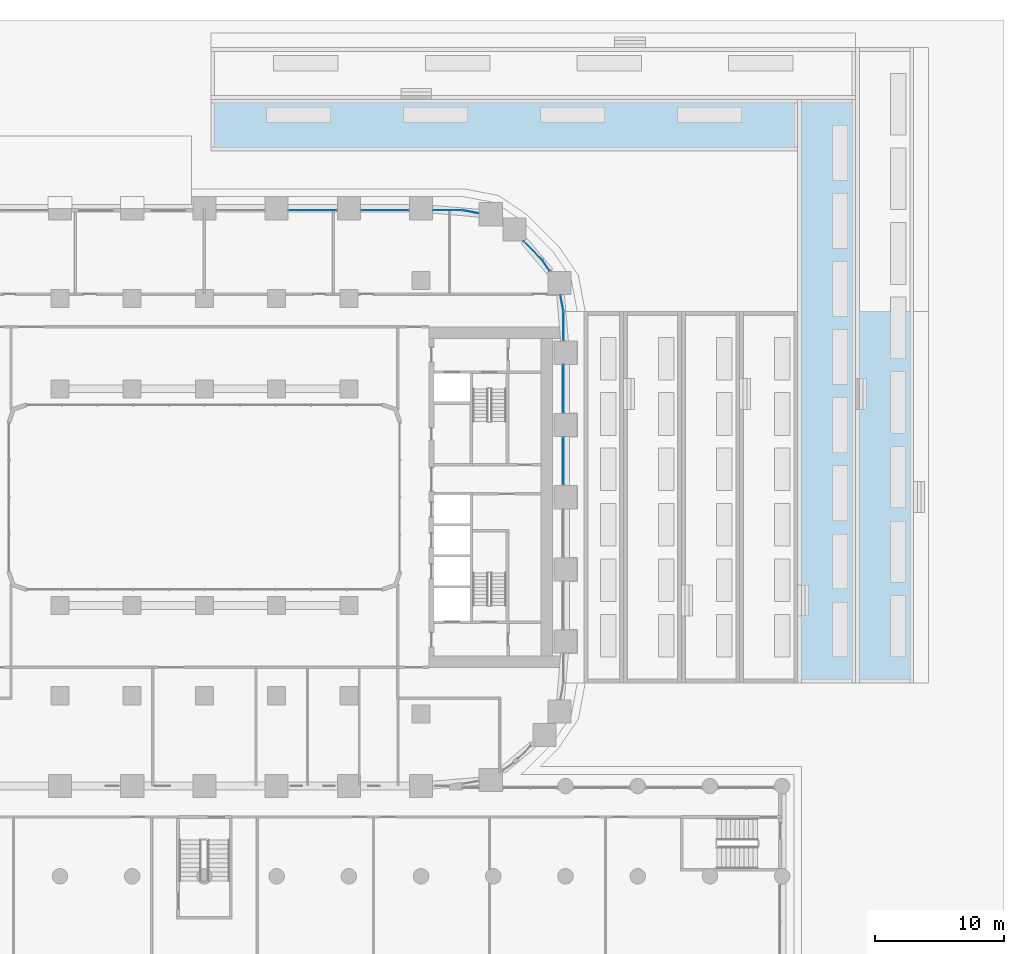
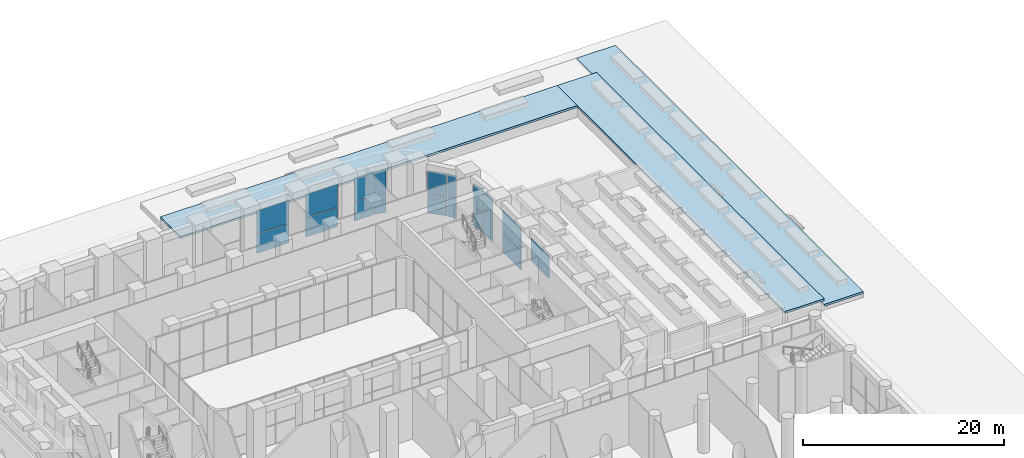
# One storey, part 27 of 51: 19 plates, 3 slabs, 10 elements without a shape of their own.
"""IFC4 building model written with IfcOpenShell, lengths in metres."""

from ifc_helpers import new_model, si_unit, direction, frame, origin, origin_2d, place, context, subcontext, project, spatial, polyline, rectangle, outline, extrude, material, layer, layer_set, type_object, element, aggregate, save


model = new_model("IFC4")

# Units and contexts
model_context = context("Model", 3, precision=1e-05, world=origin(), true_north=direction((0.0, 1.0)))
body_context = subcontext(model_context, "Body", "Model", "MODEL_VIEW")
ifc_project = project(units=[si_unit("LENGTHUNIT", "METRE"), si_unit("AREAUNIT", "SQUARE_METRE"), si_unit("VOLUMEUNIT", "CUBIC_METRE"), si_unit("PLANEANGLEUNIT", "RADIAN"), si_unit("MASSUNIT", "GRAM", prefix="KILO")], contexts=[model_context])

# Site, building, storey
site_placement = place(None, origin())
site = spatial("IfcSite", under=ifc_project, at=site_placement, CompositionType="ELEMENT")
building_placement = place(site_placement, origin())
building = spatial("IfcBuilding", under=site, at=building_placement, Name="Kiln Ring Residences", CompositionType="ELEMENT")
storey_placement = place(building_placement, origin())
storey = spatial("IfcBuildingStorey", under=building, at=storey_placement, Name="L00", CompositionType="ELEMENT", Elevation=0.0)

# Curtain wall, plate
ifc_material_1 = material(Name="Aluminium and glass", Category="aluminium")
ifc_layer_1 = layer(ifc_material_1, 0.179931640625)
ifc_layer_set_1 = layer_set([ifc_layer_1], Name="CW2 CURTAIN WALL")
curtain_wall_type = type_object("IfcCurtainWallType", Name="CW2 CURTAIN WALL", PredefinedType="NOTDEFINED", material=ifc_layer_set_1)
placement_1 = place(storey_placement, origin())
curtain_wall_1 = element("IfcCurtainWall", 1, at=placement_1, inside=storey, type_object=curtain_wall_type, Name="Curtain wall CW2 L00", PredefinedType="NOTDEFINED")
ifc_material_2 = material(Name="Glass, clear toughened", Category="glass")
ifc_layer_2 = layer(ifc_material_2, 0.02392578125)
ifc_layer_set_2 = layer_set([ifc_layer_2], Name="CW2 PANEL 24")
plate_type = type_object("IfcPlateType", Name="CW2 PANEL 24", PredefinedType="CURTAIN_PANEL", material=ifc_layer_set_2)
plate_1_placement = place(storey_placement, frame((27.85009765625, 2.800048828125, 2.425048828125), z_axis=(0.0, 0.0, 1.0), x_axis=(0.0, 1.0, 0.0)))
plate_1 = element("IfcPlate", 2, at=plate_1_placement, type_object=plate_type, Name="CW2 panel 1.2", PredefinedType="CURTAIN_PANEL", context=body_context, shape_type="SweptSolid", body=[
    extrude(rectangle(XDim=3.699951171875, YDim=0.02392578125, at=origin_2d()), origin(), (0.0, 0.0, 1.0), 2.77490234375),
])
aggregate(curtain_wall_1, [plate_1])

# Curtain wall, plates
curtain_wall_2 = element("IfcCurtainWall", 3, at=placement_1, inside=storey, type_object=curtain_wall_type, Name="Curtain wall CW2 L00", PredefinedType="NOTDEFINED")
plate_2_placement = place(storey_placement, frame((27.85009765625, 8.39990234375, 0.0498046875), z_axis=(0.0, 0.0, 1.0), x_axis=(0.0, 1.0, 0.0)))
plate_2 = element("IfcPlate", 4, at=plate_2_placement, type_object=plate_type, Name="CW2 panel 1.1", PredefinedType="CURTAIN_PANEL", context=body_context, shape_type="SweptSolid", body=[
    extrude(rectangle(XDim=3.699951171875, YDim=0.02392578125, at=origin_2d()), origin(), (0.0, 0.0, 1.0), 2.324951171875),
])
plate_3_placement = place(storey_placement, frame((27.85009765625, 8.39990234375, 2.425048828125), z_axis=(0.0, 0.0, 1.0), x_axis=(0.0, 1.0, 0.0)))
plate_3 = element("IfcPlate", 5, at=plate_3_placement, type_object=plate_type, Name="CW2 panel 1.2", PredefinedType="CURTAIN_PANEL", context=body_context, shape_type="SweptSolid", body=[
    extrude(rectangle(XDim=3.699951171875, YDim=0.02392578125, at=origin_2d()), origin(), (0.0, 0.0, 1.0), 2.77490234375),
])
aggregate(curtain_wall_2, [plate_2, plate_3])

curtain_wall_3 = element("IfcCurtainWall", 6, at=placement_1, inside=storey, type_object=curtain_wall_type, Name="Curtain wall CW2 L00", PredefinedType="NOTDEFINED")
plate_4_placement = place(storey_placement, frame((27.85009765625, 13.25, 0.0498046875), z_axis=(0.0, 0.0, 1.0), x_axis=(0.0, 1.0, 0.0)))
plate_4 = element("IfcPlate", 7, at=plate_4_placement, type_object=plate_type, Name="CW2 panel 1.1", PredefinedType="CURTAIN_PANEL", context=body_context, shape_type="SweptSolid", body=[
    extrude(rectangle(XDim=2.199951171875, YDim=0.02392578125, at=origin_2d()), origin(), (0.0, 0.0, 1.0), 2.324951171875),
])
plate_5_placement = place(storey_placement, frame((27.85009765625, 13.25, 2.425048828125), z_axis=(0.0, 0.0, 1.0), x_axis=(0.0, 1.0, 0.0)))
plate_5 = element("IfcPlate", 8, at=plate_5_placement, type_object=plate_type, Name="CW2 panel 1.2", PredefinedType="CURTAIN_PANEL", context=body_context, shape_type="SweptSolid", body=[
    extrude(rectangle(XDim=2.199951171875, YDim=0.02392578125, at=origin_2d()), origin(), (0.0, 0.0, 1.0), 2.77490234375),
])
aggregate(curtain_wall_3, [plate_4, plate_5])

curtain_wall_4 = element("IfcCurtainWall", 9, at=placement_1, inside=storey, type_object=curtain_wall_type, Name="Curtain wall CW2 L00", PredefinedType="NOTDEFINED")
plate_6_placement = place(storey_placement, frame((27.7255859375, 15.037841796875, 0.0498046875), z_axis=(0.0, 0.0, 1.0), x_axis=(-0.187365550279, 0.9822902578, 0.0)))
plate_6 = element("IfcPlate", 10, at=plate_6_placement, type_object=plate_type, Name="CW2 panel 1.1", PredefinedType="CURTAIN_PANEL", context=body_context, shape_type="SweptSolid", body=[
    extrude(rectangle(XDim=1.256103515625, YDim=0.02392578125, at=origin_2d()), origin(), (0.0, 0.0, 1.0), 2.324951171875),
])
plate_7_placement = place(storey_placement, frame((27.7255859375, 15.037841796875, 2.425048828125), z_axis=(0.0, 0.0, 1.0), x_axis=(-0.187365550279, 0.9822902578, 0.0)))
plate_7 = element("IfcPlate", 11, at=plate_7_placement, type_object=plate_type, Name="CW2 panel 1.2", PredefinedType="CURTAIN_PANEL", context=body_context, shape_type="SweptSolid", body=[
    extrude(rectangle(XDim=1.256103515625, YDim=0.02392578125, at=origin_2d()), origin(), (0.0, 0.0, 1.0), 2.77490234375),
])
aggregate(curtain_wall_4, [plate_6, plate_7])

curtain_wall_5 = element("IfcCurtainWall", 12, at=placement_1, inside=storey, type_object=curtain_wall_type, Name="Curtain wall CW2 L00", PredefinedType="NOTDEFINED")
plate_8_placement = place(storey_placement, frame((26.486083984375, 17.960693359375, 0.0498046875), z_axis=(0.0, 0.0, 1.0), x_axis=(-0.562096651308, 0.827071553488, 0.0)))
plate_8 = element("IfcPlate", 13, at=plate_8_placement, type_object=plate_type, Name="CW2 panel 1.1", PredefinedType="CURTAIN_PANEL", context=body_context, shape_type="SweptSolid", body=[
    extrude(rectangle(XDim=0.9931640625, YDim=0.02392578125, at=origin_2d()), origin(), (0.0, 0.0, 1.0), 2.324951171875),
])
plate_9_placement = place(storey_placement, frame((26.486083984375, 17.960693359375, 2.425048828125), z_axis=(0.0, 0.0, 1.0), x_axis=(-0.562096651308, 0.827071553488, 0.0)))
plate_9 = element("IfcPlate", 14, at=plate_9_placement, type_object=plate_type, Name="CW2 panel 1.2", PredefinedType="CURTAIN_PANEL", context=body_context, shape_type="SweptSolid", body=[
    extrude(rectangle(XDim=0.9931640625, YDim=0.02392578125, at=origin_2d()), origin(), (0.0, 0.0, 1.0), 2.77490234375),
])
aggregate(curtain_wall_5, [plate_8, plate_9])

curtain_wall_6 = element("IfcCurtainWall", 15, at=placement_1, inside=storey, type_object=curtain_wall_type, Name="Curtain wall CW2 L00", PredefinedType="NOTDEFINED")
plate_10_placement = place(storey_placement, frame((25.46240234375, 19.12548828125, 0.0498046875), z_axis=(0.0, 0.0, 1.0), x_axis=(-0.707106781187, 0.707106781187, 0.0)))
plate_10 = element("IfcPlate", 16, at=plate_10_placement, type_object=plate_type, Name="CW2 panel 1.1", PredefinedType="CURTAIN_PANEL", context=body_context, shape_type="SweptSolid", body=[
    extrude(rectangle(XDim=1.977294921875, YDim=0.02392578125, at=origin_2d()), origin(), (0.0, 0.0, 1.0), 2.324951171875),
])
plate_11_placement = place(storey_placement, frame((25.46240234375, 19.12548828125, 2.425048828125), z_axis=(0.0, 0.0, 1.0), x_axis=(-0.707106781187, 0.707106781187, 0.0)))
plate_11 = element("IfcPlate", 17, at=plate_11_placement, type_object=plate_type, Name="CW2 panel 1.2", PredefinedType="CURTAIN_PANEL", context=body_context, shape_type="SweptSolid", body=[
    extrude(rectangle(XDim=1.977294921875, YDim=0.02392578125, at=origin_2d()), origin(), (0.0, 0.0, 1.0), 2.77490234375),
])
aggregate(curtain_wall_6, [plate_10, plate_11])

curtain_wall_7 = element("IfcCurtainWall", 18, at=placement_1, inside=storey, type_object=curtain_wall_type, Name="Curtain wall CW2 L00", PredefinedType="NOTDEFINED")
plate_12_placement = place(storey_placement, frame((20.637939453125, 22.125732421875, 0.0498046875), z_axis=(0.0, 0.0, 1.0), x_axis=(-0.9822902578, 0.187365550279, 0.0)))
plate_12 = element("IfcPlate", 19, at=plate_12_placement, type_object=plate_type, Name="CW2 panel 1.1", PredefinedType="CURTAIN_PANEL", context=body_context, shape_type="SweptSolid", body=[
    extrude(rectangle(XDim=1.256103515625, YDim=0.02392578125, at=origin_2d()), origin(), (0.0, 0.0, 1.0), 2.324951171875),
])
plate_13_placement = place(storey_placement, frame((20.637939453125, 22.125732421875, 2.425048828125), z_axis=(0.0, 0.0, 1.0), x_axis=(-0.9822902578, 0.187365550279, 0.0)))
plate_13 = element("IfcPlate", 20, at=plate_13_placement, type_object=plate_type, Name="CW2 panel 1.2", PredefinedType="CURTAIN_PANEL", context=body_context, shape_type="SweptSolid", body=[
    extrude(rectangle(XDim=1.256103515625, YDim=0.02392578125, at=origin_2d()), origin(), (0.0, 0.0, 1.0), 2.77490234375),
])
aggregate(curtain_wall_7, [plate_12, plate_13])

curtain_wall_8 = element("IfcCurtainWall", 21, at=placement_1, inside=storey, type_object=curtain_wall_type, Name="Curtain wall CW2 L00", PredefinedType="NOTDEFINED")
plate_14_placement = place(storey_placement, frame((18.85009765625, 22.25, 0.0498046875), z_axis=(0.0, 0.0, 1.0), x_axis=(-1.0, 0.0, 0.0)))
plate_14 = element("IfcPlate", 22, at=plate_14_placement, type_object=plate_type, Name="CW2 panel 1.1", PredefinedType="CURTAIN_PANEL", context=body_context, shape_type="SweptSolid", body=[
    extrude(rectangle(XDim=2.199951171875, YDim=0.02392578125, at=origin_2d()), origin(), (0.0, 0.0, 1.0), 2.324951171875),
])
plate_15_placement = place(storey_placement, frame((18.85009765625, 22.25, 2.425048828125), z_axis=(0.0, 0.0, 1.0), x_axis=(-1.0, 0.0, 0.0)))
plate_15 = element("IfcPlate", 23, at=plate_15_placement, type_object=plate_type, Name="CW2 panel 1.2", PredefinedType="CURTAIN_PANEL", context=body_context, shape_type="SweptSolid", body=[
    extrude(rectangle(XDim=2.199951171875, YDim=0.02392578125, at=origin_2d()), origin(), (0.0, 0.0, 1.0), 2.77490234375),
])
aggregate(curtain_wall_8, [plate_14, plate_15])

curtain_wall_9 = element("IfcCurtainWall", 24, at=placement_1, inside=storey, type_object=curtain_wall_type, Name="Curtain wall CW2 L00", PredefinedType="NOTDEFINED")
plate_16_placement = place(storey_placement, frame((14.0, 22.25, 0.0498046875), z_axis=(0.0, 0.0, 1.0), x_axis=(-1.0, 0.0, 0.0)))
plate_16 = element("IfcPlate", 25, at=plate_16_placement, type_object=plate_type, Name="CW2 panel 1.1", PredefinedType="CURTAIN_PANEL", context=body_context, shape_type="SweptSolid", body=[
    extrude(rectangle(XDim=3.699951171875, YDim=0.02392578125, at=origin_2d()), origin(), (0.0, 0.0, 1.0), 2.324951171875),
])
plate_17_placement = place(storey_placement, frame((14.0, 22.25, 2.425048828125), z_axis=(0.0, 0.0, 1.0), x_axis=(-1.0, 0.0, 0.0)))
plate_17 = element("IfcPlate", 26, at=plate_17_placement, type_object=plate_type, Name="CW2 panel 1.2", PredefinedType="CURTAIN_PANEL", context=body_context, shape_type="SweptSolid", body=[
    extrude(rectangle(XDim=3.699951171875, YDim=0.02392578125, at=origin_2d()), origin(), (0.0, 0.0, 1.0), 2.77490234375),
])
aggregate(curtain_wall_9, [plate_16, plate_17])

curtain_wall_10 = element("IfcCurtainWall", 27, at=placement_1, inside=storey, type_object=curtain_wall_type, Name="Curtain wall CW2 L00", PredefinedType="NOTDEFINED")
plate_18_placement = place(storey_placement, frame((8.39990234375, 22.25, 0.0498046875), z_axis=(0.0, 0.0, 1.0), x_axis=(-1.0, 0.0, 0.0)))
plate_18 = element("IfcPlate", 28, at=plate_18_placement, type_object=plate_type, Name="CW2 panel 1.1", PredefinedType="CURTAIN_PANEL", context=body_context, shape_type="SweptSolid", body=[
    extrude(rectangle(XDim=3.699951171875, YDim=0.02392578125, at=origin_2d()), origin(), (0.0, 0.0, 1.0), 2.324951171875),
])
plate_19_placement = place(storey_placement, frame((8.39990234375, 22.25, 2.425048828125), z_axis=(0.0, 0.0, 1.0), x_axis=(-1.0, 0.0, 0.0)))
plate_19 = element("IfcPlate", 29, at=plate_19_placement, type_object=plate_type, Name="CW2 panel 1.2", PredefinedType="CURTAIN_PANEL", context=body_context, shape_type="SweptSolid", body=[
    extrude(rectangle(XDim=3.699951171875, YDim=0.02392578125, at=origin_2d()), origin(), (0.0, 0.0, 1.0), 2.77490234375),
])
aggregate(curtain_wall_10, [plate_18, plate_19])

# Slabs
ifc_material_3 = material(Name="Concrete C35/45", Category="concrete")
ifc_layer_3 = layer(ifc_material_3, 0.25)
ifc_layer_set_3 = layer_set([ifc_layer_3], Name="TERRACE SLAB 250")
slab_type = type_object("IfcSlabType", Name="TERRACE SLAB 250", PredefinedType="FLOOR", material=ifc_layer_set_3)
placement_2 = place(storey_placement, frame((0.0, 0.0, 1.14990234375)))
element("IfcSlab", 30, at=placement_2, inside=storey, type_object=slab_type, Name="Planted terrace E5", PredefinedType="FLOOR", context=body_context, shape_type="SweptSolid", body=[
    extrude(outline(polyline([(50.5, -14.39990234375), (50.5, 30.85009765625), (46.0, 30.85009765625), (46.0, -14.39990234375), (50.5, -14.39990234375)])), origin(), (0.0, 0.0, 1.0), 0.25),
])
slab_2_placement = place(storey_placement, frame((0.0, 0.0, 0.449951171875)))
element("IfcSlab", 31, at=slab_2_placement, inside=storey, type_object=slab_type, Name="Planted terrace E6", PredefinedType="FLOOR", context=body_context, shape_type="SweptSolid", body=[
    extrude(outline(polyline([(55.0, -14.39990234375), (55.0, 34.85009765625), (50.5, 34.85009765625), (50.5, -14.39990234375), (55.0, -14.39990234375)])), origin(), (0.0, 0.0, 1.0), 0.25),
])
element("IfcSlab", 32, at=placement_2, inside=storey, type_object=slab_type, Name="Planted terrace N1E", PredefinedType="FLOOR", context=body_context, shape_type="SweptSolid", body=[
    extrude(outline(polyline([(46.0, 26.85009765625), (46.0, 30.85009765625), (0.5, 30.85009765625), (0.5, 26.85009765625), (46.0, 26.85009765625)])), origin(), (0.0, 0.0, 1.0), 0.25),
])

save(model, "model.ifc")
